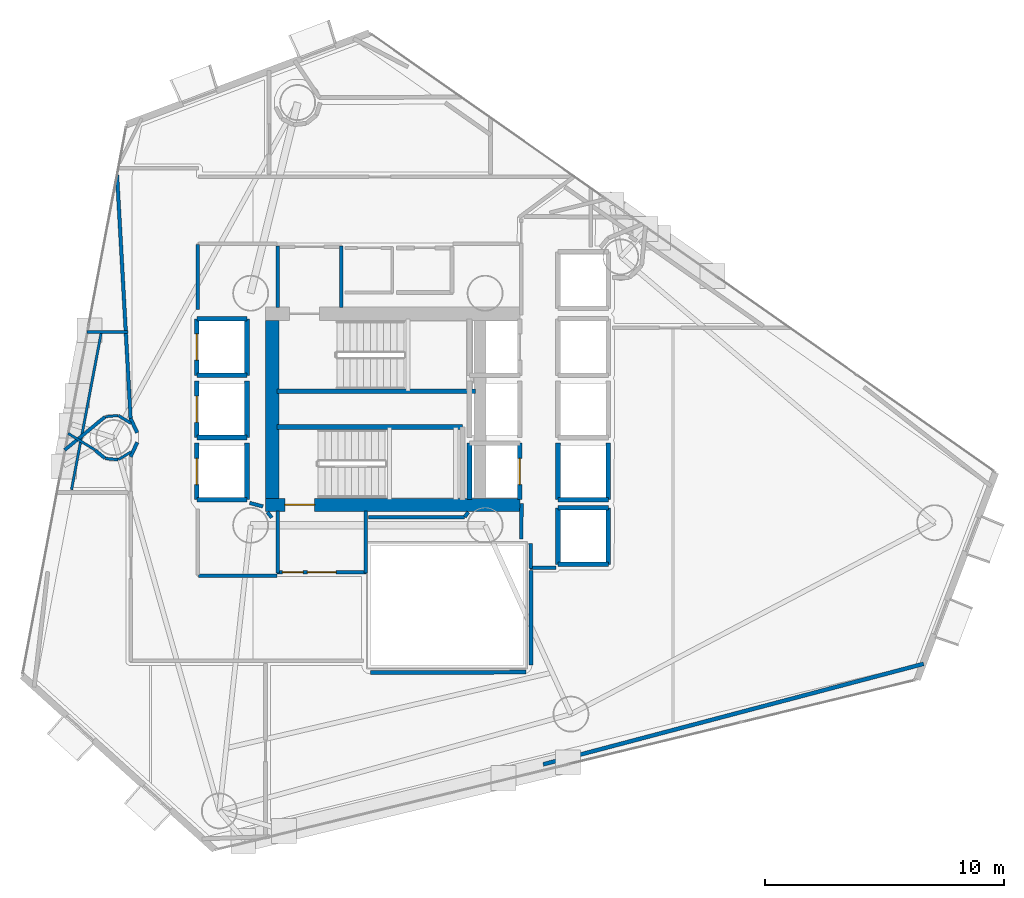
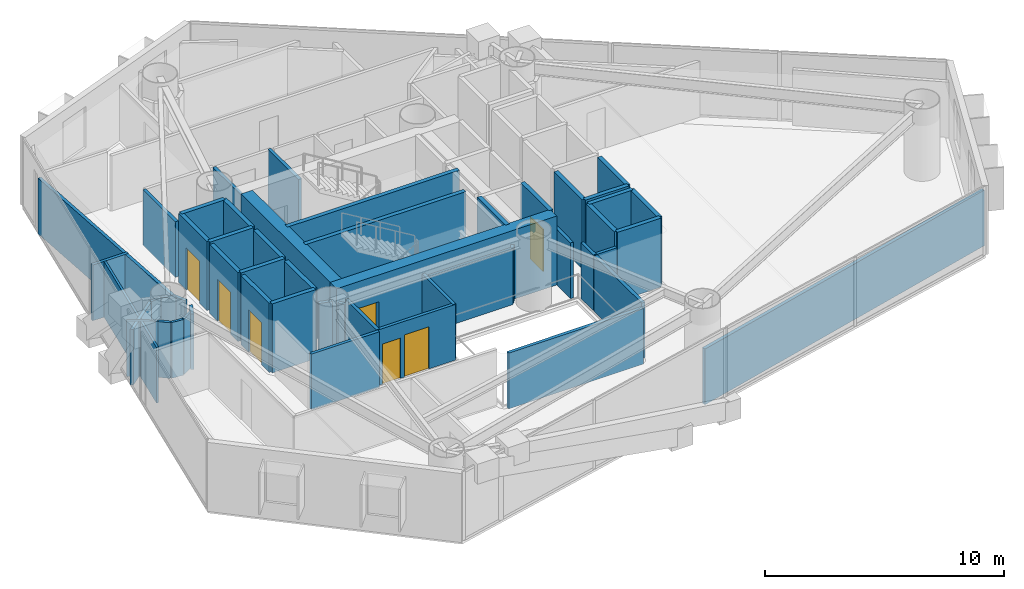
# One storey, part 19 of 24: 52 walls, 7 doors, 7 openings.
"""IFC4 building model written with IfcOpenShell, lengths in metres."""

from ifc_helpers import new_model, si_unit, direction, frame, frame_2d, origin, place, context, subcontext, project, spatial, rectangle, extrude, material, layer, layer_set, type_object, element, fill, save


model = new_model("IFC4")

# Units and contexts
model_context = context("Model", 3, precision=1e-05, world=origin(), true_north=direction((0.0, 1.0)))
body_context = subcontext(model_context, "Body", "Model", "MODEL_VIEW")
ifc_project = project(units=[si_unit("LENGTHUNIT", "METRE"), si_unit("AREAUNIT", "SQUARE_METRE"), si_unit("VOLUMEUNIT", "CUBIC_METRE"), si_unit("PLANEANGLEUNIT", "RADIAN"), si_unit("MASSUNIT", "GRAM", prefix="KILO")], contexts=[model_context])

# Site, building, storey
site_placement = place(None, origin())
site = spatial("IfcSite", under=ifc_project, at=site_placement, CompositionType="ELEMENT")
building_placement = place(site_placement, origin())
building = spatial("IfcBuilding", under=site, at=building_placement, Name="Qianvela Tower", CompositionType="ELEMENT")
storey_placement = place(building_placement, frame((0.0, 0.0, 101.5)))
storey = spatial("IfcBuildingStorey", under=building, at=storey_placement, Name="L25", CompositionType="ELEMENT", Elevation=101.5)

# Wall, opening, door
ifc_material_1 = material(Name="Concrete C60", Category="concrete")
ifc_layer_1 = layer(ifc_material_1, 0.550048828125)
ifc_layer_set_1 = layer_set([ifc_layer_1], Name="Concrete C60")
wall_type_1 = type_object("IfcWallType", Name="WT-CORE-550", PredefinedType="SHEAR", material=ifc_layer_set_1)
wall_1_placement = place(storey_placement, frame((29.22998046875, 24.705078125, 0.0), z_axis=(0.0, 0.0, 1.0), x_axis=(1.0, 0.0, 0.0)))
wall_1 = element("IfcWall", 1, at=wall_1_placement, inside=storey, type_object=wall_type_1, Name="L25 South Core Shear Wall", PredefinedType="SHEAR", context=body_context, shape_type="SweptSolid", body=[
    extrude(rectangle(XDim=10.6201171875, YDim=0.550048828125, at=frame_2d((5.31005859375, 0.0))), origin(), (0.0, 0.0, 1.0), 3.52001953125),
])
opening_1_placement = place(wall_1_placement, frame((0.794921875, 0.0, 0.0)))
opening_1 = element("IfcOpeningElement", 2, at=opening_1_placement, cuts=wall_1, Name="Opening D-ST1", PredefinedType="OPENING", context=body_context, shape_type="SweptSolid", body=[
    extrude(rectangle(XDim=1.25, YDim=2.14990234375, at=frame_2d((0.625, 1.074951171875))), frame((0.0, 0.284912109375, 0.0), z_axis=(0.0, -1.0, 0.0), x_axis=(1.0, 0.0, 0.0)), (0.0, 0.0, 1.0), 0.570068359375),
])
ifc_material_2 = material(Name="Galvanised Fire Steel Q355B", Category="steel")
door_type_1 = type_object("IfcDoorType", Name="DT-STAIR-FD90", OperationType="NOTDEFINED", PredefinedType="DOOR", material=ifc_material_2)
door_1_placement = place(opening_1_placement, origin())
door_1 = element("IfcDoor", 3, at=door_1_placement, inside=storey, type_object=door_type_1, Name="L25 Stair ST-2 Exit Door", OperationType="SINGLE_SWING_LEFT", OverallHeight=2.14990234375, OverallWidth=1.25, PredefinedType="DOOR", context=body_context, shape_type="SweptSolid", body=[
    extrude(rectangle(XDim=1.25, YDim=2.14990234375, at=frame_2d((0.625, 1.074951171875))), frame((0.0, 0.02490234375, 0.0), z_axis=(0.0, -1.0, 0.0), x_axis=(1.0, 0.0, 0.0)), (0.0, 0.0, 1.0), 0.050048828125),
])
fill(opening_1, door_1)

# Walls
wall_2_placement = place(storey_placement, frame((29.5048828125, 24.97998046875, 0.0), z_axis=(0.0, 0.0, 1.0), x_axis=(0.0, 1.0, 0.0)))
element("IfcWall", 4, at=wall_2_placement, inside=storey, type_object=wall_type_1, Name="L25 West Core Shear Wall", PredefinedType="SHEAR", context=body_context, shape_type="SweptSolid", body=[
    extrude(rectangle(XDim=7.43994140625, YDim=0.550048828125, at=frame_2d((3.719970703125, 0.0))), origin(), (0.0, 0.0, 1.0), 3.52001953125),
])
ifc_material_3 = material(Name="Fire-Rated Acoustic Gypsum Board")
ifc_layer_2 = layer(ifc_material_3, 0.14990234375)
ifc_layer_set_2 = layer_set([ifc_layer_2], Name="Fire-Rated Acoustic Gypsum Board")
wall_type_2 = type_object("IfcWallType", Name="WT-CORR-150", PredefinedType="PARTITIONING", material=ifc_layer_set_2)
for number, where, z_axis, x_axis, name in (
    (5, (29.73095703125, 32.9580078125, 0.0), (0.0, 0.0, 1.0), (0.0, 1.0, 0.0), "L25 Partition 2"),
    (6, (32.388916015625, 35.52001953125, 0.0), (0.0, 0.0, 1.0), (0.0, -1.0, 0.0), "L25 Partition 4"),
):
    element("IfcWall", number, at=place(storey_placement, frame(where, z_axis=z_axis, x_axis=x_axis)), inside=storey, type_object=wall_type_2, Name=name, PredefinedType="PARTITIONING", context=body_context, shape_type="SweptSolid", body=[
        extrude(rectangle(XDim=2.56201171875, YDim=0.14990234375, at=frame_2d((1.281005859375, 0.0))), origin(), (0.0, 0.0, 1.0), 2.840087890625),
    ])

# Wall, openings, doors
wall_3_placement = place(storey_placement, frame((33.449951171875, 21.881103515625, 0.0), z_axis=(0.0, 0.0, 1.0), x_axis=(-1.0, 0.0, 0.0)))
wall_3 = element("IfcWall", 7, at=wall_3_placement, inside=storey, type_object=wall_type_2, Name="L25 Partition 5", PredefinedType="PARTITIONING", context=body_context, shape_type="SweptSolid", body=[
    extrude(rectangle(XDim=3.75, YDim=0.14990234375, at=frame_2d((1.875, 0.0))), origin(), (0.0, 0.0, 1.0), 2.840087890625),
])
opening_2_placement = place(wall_3_placement, frame((1.27490234375, 0.0, 0.0)))
opening_2 = element("IfcOpeningElement", 8, at=opening_2_placement, cuts=wall_3, Name="Opening D-LB1", PredefinedType="OPENING", context=body_context, shape_type="SweptSolid", body=[
    extrude(rectangle(XDim=1.199951171875, YDim=2.14990234375, at=frame_2d((0.60009765625, 1.074951171875))), frame((0.0, 0.0849609375, 0.0), z_axis=(0.0, -1.0, 0.0), x_axis=(1.0, 0.0, 0.0)), (0.0, 0.0, 1.0), 0.169921875),
])
opening_3_placement = place(wall_3_placement, frame((2.659912109375, 0.0, 0.0)))
opening_3 = element("IfcOpeningElement", 9, at=opening_3_placement, cuts=wall_3, Name="Opening D-LB2", PredefinedType="OPENING", context=body_context, shape_type="SweptSolid", body=[
    extrude(rectangle(XDim=0.860107421875, YDim=2.050048828125, at=frame_2d((0.43017578125, 1.02490234375))), frame((0.0, 0.0849609375, 0.0), z_axis=(0.0, -1.0, 0.0), x_axis=(1.0, 0.0, 0.0)), (0.0, 0.0, 1.0), 0.169921875),
])
ifc_material_4 = material(Name="Glazed Fire-Rated Steel Frame", Category="steel")
door_type_2 = type_object("IfcDoorType", Name="DT-LOBBY-FD90", OperationType="NOTDEFINED", PredefinedType="DOOR", material=ifc_material_4)
door_2_placement = place(opening_2_placement, origin())
door_2 = element("IfcDoor", 10, at=door_2_placement, inside=storey, type_object=door_type_2, Name="L25 Door L25 Firefighting Lobby South to L25 Floor Corridor", OperationType="SINGLE_SWING_RIGHT", OverallHeight=2.14990234375, OverallWidth=1.199951171875, PredefinedType="DOOR", context=body_context, shape_type="SweptSolid", body=[
    extrude(rectangle(XDim=1.199951171875, YDim=2.14990234375, at=frame_2d((0.60009765625, 1.074951171875))), frame((0.0, 0.02490234375, 0.0), z_axis=(0.0, -1.0, 0.0), x_axis=(1.0, 0.0, 0.0)), (0.0, 0.0, 1.0), 0.050048828125),
])
fill(opening_2, door_2)
ifc_material_5 = material(Name="Insulated Steel Fire Door Q355B", Category="steel")
door_type_3 = type_object("IfcDoorType", Name="DT-LOBBY-FD90-860", OperationType="NOTDEFINED", PredefinedType="DOOR", material=ifc_material_5)
door_3_placement = place(opening_3_placement, origin())
door_3 = element("IfcDoor", 11, at=door_3_placement, inside=storey, type_object=door_type_3, Name="L25 Door L25 Firefighting Lobby South to L25 Floor Corridor", OperationType="SINGLE_SWING_LEFT", OverallHeight=2.050048828125, OverallWidth=0.860107421875, PredefinedType="DOOR", context=body_context, shape_type="SweptSolid", body=[
    extrude(rectangle(XDim=0.860107421875, YDim=2.050048828125, at=frame_2d((0.43017578125, 1.02490234375))), frame((0.0, 0.02490234375, 0.0), z_axis=(0.0, -1.0, 0.0), x_axis=(1.0, 0.0, 0.0)), (0.0, 0.0, 1.0), 0.050048828125),
])
fill(opening_3, door_3)

# Walls
for number, where, z_axis, x_axis, name in (
    (12, (29.73095703125, 21.85009765625, 0.0), (0.0, 0.0, 1.0), (0.0, 1.0, 0.0), "L25 Partition 6"),
    (13, (33.4189453125, 24.44189453125, 0.0), (0.0, 0.0, 1.0), (0.0, -1.0, 0.0), "L25 Partition 8"),
):
    element("IfcWall", number, at=place(storey_placement, frame(where, z_axis=z_axis, x_axis=x_axis)), inside=storey, type_object=wall_type_2, Name=name, PredefinedType="PARTITIONING", context=body_context, shape_type="SweptSolid", body=[
        extrude(rectangle(XDim=2.591796875, YDim=0.14990234375, at=frame_2d((1.2958984375, 0.0))), origin(), (0.0, 0.0, 1.0), 2.840087890625),
    ])
wall_4_placement = place(storey_placement, frame((41.360107421875, 22.0810546875, 0.0), z_axis=(0.0, 0.0, 1.0), x_axis=(-1.0, 0.0, 0.0)))
element("IfcWall", 14, at=wall_4_placement, inside=storey, type_object=wall_type_2, Name="L25 Partition 15", PredefinedType="PARTITIONING", context=body_context, shape_type="SweptSolid", body=[
    extrude(rectangle(XDim=1.080078125, YDim=0.14990234375, at=frame_2d((0.5400390625, 0.0))), origin(), (0.0, 0.0, 1.0), 2.840087890625),
])
wall_5_placement = place(storey_placement, frame((40.31103515625, 22.05029296875, 0.0), z_axis=(0.0, 0.0, 1.0), x_axis=(-0.011836292006, 0.999929948642, 0.0)))
element("IfcWall", 15, at=wall_5_placement, inside=storey, type_object=wall_type_2, Name="L25 Partition 16", PredefinedType="PARTITIONING", context=body_context, shape_type="SweptSolid", body=[
    extrude(rectangle(XDim=1.03125, YDim=0.14990234375, at=frame_2d((0.515625, 0.0))), origin(), (0.0, 0.0, 1.0), 2.840087890625),
])
wall_6_placement = place(storey_placement, frame((39.910888671875, 23.27978515625, 0.0), z_axis=(0.0, 0.0, 1.0), x_axis=(0.009397771291, 0.999955839972, 0.0)))
element("IfcWall", 16, at=wall_6_placement, inside=storey, type_object=wall_type_2, Name="L25 Partition 17", PredefinedType="PARTITIONING", context=body_context, shape_type="SweptSolid", body=[
    extrude(rectangle(XDim=1.480712890625, YDim=0.14990234375, at=frame_2d((0.740234375, 0.0))), origin(), (0.0, 0.0, 1.0), 2.840087890625),
])
wall_7_placement = place(storey_placement, frame((29.47998046875, 24.1689453125, 0.0), z_axis=(0.0, 0.0, 1.0), x_axis=(-0.608043045279, 0.79390405912, 0.0)))
element("IfcWall", 17, at=wall_7_placement, inside=storey, type_object=wall_type_2, Name="L25 Partition 30", PredefinedType="PARTITIONING", context=body_context, shape_type="SweptSolid", body=[
    extrude(rectangle(XDim=0.290283203125, YDim=0.14990234375, at=frame_2d((0.14501953125, 0.0))), origin(), (0.0, 0.0, 1.0), 2.840087890625),
])
wall_8_placement = place(storey_placement, frame((29.113525390625, 24.63671875, 0.0), z_axis=(0.0, 0.0, 1.0), x_axis=(-0.966199685486, 0.257794817183, 0.0)))
element("IfcWall", 18, at=wall_8_placement, inside=storey, type_object=wall_type_2, Name="L25 Partition 31", PredefinedType="PARTITIONING", context=body_context, shape_type="SweptSolid", body=[
    extrude(rectangle(XDim=0.574951171875, YDim=0.14990234375, at=frame_2d((0.28759765625, 0.0))), origin(), (0.0, 0.0, 1.0), 2.840087890625),
])
wall_9_placement = place(storey_placement, frame((37.696533203125, 24.3994140625, 0.0), z_axis=(0.0, 0.0, 1.0), x_axis=(-0.60763139403, -0.794219169367, 0.0)))
element("IfcWall", 19, at=wall_9_placement, inside=storey, type_object=wall_type_2, Name="L25 Partition 38", PredefinedType="PARTITIONING", context=body_context, shape_type="SweptSolid", body=[
    extrude(rectangle(XDim=0.25, YDim=0.14990234375, at=frame_2d((0.125, 0.0))), origin(), (0.0, 0.0, 1.0), 2.840087890625),
])
wall_10_placement = place(storey_placement, frame((37.544677734375, 24.180908203125, 0.0), z_axis=(0.0, 0.0, 1.0), x_axis=(-1.0, 0.0, 0.0)))
element("IfcWall", 20, at=wall_10_placement, inside=storey, type_object=wall_type_2, Name="L25 Partition 39", PredefinedType="PARTITIONING", context=body_context, shape_type="SweptSolid", body=[
    extrude(rectangle(XDim=4.0146484375, YDim=0.14990234375, at=frame_2d((2.00732421875, 0.0))), origin(), (0.0, 0.0, 1.0), 2.840087890625),
])
wall_11_placement = place(storey_placement, frame((26.388916015625, 35.580078125, 0.0), z_axis=(0.0, 0.0, 1.0), x_axis=(0.0, -1.0, 0.0)))
element("IfcWall", 21, at=wall_11_placement, inside=storey, type_object=wall_type_2, Name="L25 Partition 44", PredefinedType="PARTITIONING", context=body_context, shape_type="SweptSolid", body=[
    extrude(rectangle(XDim=2.71044921875, YDim=0.14990234375, at=frame_2d((1.355224609375, 0.0))), origin(), (0.0, 0.0, 1.0), 2.840087890625),
])
wall_12_placement = place(storey_placement, frame((26.419921875, 21.7490234375, 0.0), z_axis=(0.0, 0.0, 1.0), x_axis=(1.0, 0.0, 0.0)))
element("IfcWall", 22, at=wall_12_placement, inside=storey, type_object=wall_type_2, Name="L25 Partition 47 seg 1", PredefinedType="PARTITIONING", context=body_context, shape_type="SweptSolid", body=[
    extrude(rectangle(XDim=3.280029296875, YDim=0.14990234375, at=frame_2d((1.64013671875, 0.0))), origin(), (0.0, 0.0, 1.0), 2.840087890625),
])
for number, where, z_axis, x_axis, name in (
    (23, (23.578125, 26.71240234375, 0.0), (0.0, 0.0, 1.0), (0.421251946418, 0.906943657367, 0.0), "L25 Partition 50"),
    (24, (23.857421875, 27.71826171875, 0.0), (0.0, 0.0, 1.0), (-0.421251946418, 0.906943657367, 0.0), "L25 Partition 51"),
):
    element("IfcWall", number, at=place(storey_placement, frame(where, z_axis=z_axis, x_axis=x_axis)), inside=storey, type_object=wall_type_2, Name=name, PredefinedType="PARTITIONING", context=body_context, shape_type="SweptSolid", body=[
        extrude(rectangle(XDim=0.6630859375, YDim=0.14990234375, at=frame_2d((0.33154296875, 0.0))), origin(), (0.0, 0.0, 1.0), 2.840087890625),
    ])
wall_13_placement = place(storey_placement, frame((23.5810546875, 28.306640625, 0.0), z_axis=(0.0, 0.0, 1.0), x_axis=(-0.055409067337, 0.998463737577, 0.0)))
element("IfcWall", 25, at=wall_13_placement, inside=storey, type_object=wall_type_2, Name="L25 Partition 52", PredefinedType="PARTITIONING", context=body_context, shape_type="SweptSolid", body=[
    extrude(rectangle(XDim=10.20458984375, YDim=0.14990234375, at=frame_2d((5.102294921875, 0.0))), origin(), (0.0, 0.0, 1.0), 2.840087890625),
])
ifc_material_6 = material(Name="Lightweight Gypsum Room Partition")
ifc_layer_3 = layer(ifc_material_6, 0.10498046875)
ifc_layer_set_3 = layer_set([ifc_layer_3], Name="Lightweight Gypsum Room Partition")
wall_type_3 = type_object("IfcWallType", Name="WT-PART-105", PredefinedType="PARTITIONING", material=ifc_layer_set_3)
wall_14_placement = place(storey_placement, frame((23.052490234375, 28.439453125, 0.0), z_axis=(0.0, 0.0, 1.0), x_axis=(-0.995191506225, -0.09794828195, 0.0)))
element("IfcWall", 26, at=wall_14_placement, inside=storey, type_object=wall_type_3, Name="L25 Partition 114", PredefinedType="PARTITIONING", context=body_context, shape_type="SweptSolid", body=[
    extrude(rectangle(XDim=0.5283203125, YDim=0.10498046875, at=frame_2d((0.26416015625, 0.0))), origin(), (0.0, 0.0, 1.0), 2.840087890625),
])
wall_15_placement = place(storey_placement, frame((20.969970703125, 27.690185546875, 0.0), z_axis=(0.0, 0.0, 1.0), x_axis=(0.852211848036, -0.523196871232, 0.0)))
element("IfcWall", 27, at=wall_15_placement, inside=storey, type_object=wall_type_3, Name="L25 Partition 117", PredefinedType="PARTITIONING", context=body_context, shape_type="SweptSolid", body=[
    extrude(rectangle(XDim=1.31640625, YDim=0.10498046875, at=frame_2d((0.658203125, 0.0))), origin(), (0.0, 0.0, 1.0), 2.840087890625),
])
wall_16_placement = place(storey_placement, frame((23.07177734375, 26.596923828125, 0.0), z_axis=(0.0, 0.0, 1.0), x_axis=(0.853675286084, 0.520805631622, 0.0)))
element("IfcWall", 28, at=wall_16_placement, inside=storey, type_object=wall_type_3, Name="L25 Partition 120", PredefinedType="PARTITIONING", context=body_context, shape_type="SweptSolid", body=[
    extrude(rectangle(XDim=0.613037109375, YDim=0.10498046875, at=frame_2d((0.306640625, 0.0))), origin(), (0.0, 0.0, 1.0), 2.840087890625),
])
wall_17_placement = place(storey_placement, frame((21.110595703125, 25.336181640625, 0.0), z_axis=(0.0, 0.0, 1.0), x_axis=(0.186002357958, 0.982549297915, 0.0)))
element("IfcWall", 29, at=wall_17_placement, inside=storey, type_object=wall_type_3, Name="L25 Partition 123", PredefinedType="PARTITIONING", context=body_context, shape_type="SweptSolid", body=[
    extrude(rectangle(XDim=6.7333984375, YDim=0.10498046875, at=frame_2d((3.36669921875, 0.0))), origin(), (0.0, 0.0, 1.0), 2.840087890625),
])
ifc_material_7 = material(Name="Insulated Gypsum Stud Partition")
ifc_layer_4 = layer(ifc_material_7, 0.1201171875)
ifc_layer_set_4 = layer_set([ifc_layer_4], Name="Insulated Gypsum Stud Partition")
wall_type_4 = type_object("IfcWallType", Name="WT-PART-120", PredefinedType="PARTITIONING", material=ifc_layer_set_4)
wall_18_placement = place(storey_placement, frame((23.59521484375, 28.11572265625, 0.0), z_axis=(0.0, 0.0, 1.0), x_axis=(-0.853675286084, 0.520805631622, 0.0)))
element("IfcWall", 30, at=wall_18_placement, inside=storey, type_object=wall_type_4, Name="L25 Partition 113", PredefinedType="PARTITIONING", context=body_context, shape_type="SweptSolid", body=[
    extrude(rectangle(XDim=0.613037109375, YDim=0.1201171875, at=frame_2d((0.306640625, 0.0))), origin(), (0.0, 0.0, 1.0), 2.840087890625),
])
wall_19_placement = place(storey_placement, frame((22.526611328125, 26.644287109375, 0.0), z_axis=(0.0, 0.0, 1.0), x_axis=(0.995191506225, -0.09794828195, 0.0)))
element("IfcWall", 31, at=wall_19_placement, inside=storey, type_object=wall_type_4, Name="L25 Partition 119", PredefinedType="PARTITIONING", context=body_context, shape_type="SweptSolid", body=[
    extrude(rectangle(XDim=0.5283203125, YDim=0.1201171875, at=frame_2d((0.26416015625, 0.0))), origin(), (0.0, 0.0, 1.0), 2.840087890625),
])
ifc_material_8 = material(Name="Sanitary Service Chase Partition")
ifc_layer_5 = layer(ifc_material_8, 0.1650390625)
ifc_layer_set_5 = layer_set([ifc_layer_5], Name="Sanitary Service Chase Partition")
wall_type_5 = type_object("IfcWallType", Name="WT-PLUMB-165", PredefinedType="PLUMBINGWALL", material=ifc_layer_set_5)
wall_20_placement = place(storey_placement, frame((33.60009765625, 17.68896484375, 0.0), z_axis=(0.0, 0.0, 1.0), x_axis=(0.99999467303, 0.003264033036, 0.0)))
element("IfcWall", 32, at=wall_20_placement, inside=storey, type_object=wall_type_5, Name="L25 Partition 61", PredefinedType="PLUMBINGWALL", context=body_context, shape_type="SweptSolid", body=[
    extrude(rectangle(XDim=6.50732421875, YDim=0.1650390625, at=frame_2d((3.253662109375, 0.0))), origin(), (0.0, 0.0, 1.0), 2.840087890625),
])
wall_21_placement = place(storey_placement, frame((40.31103515625, 18.0, 0.0), z_axis=(0.0, 0.0, 1.0), x_axis=(0.0, 1.0, 0.0)))
element("IfcWall", 33, at=wall_21_placement, inside=storey, type_object=wall_type_5, Name="L25 Partition 62 seg 1", PredefinedType="PLUMBINGWALL", context=body_context, shape_type="SweptSolid", body=[
    extrude(rectangle(XDim=3.969970703125, YDim=0.1650390625, at=frame_2d((1.98486328125, 0.0))), origin(), (0.0, 0.0, 1.0), 2.840087890625),
])
wall_22_placement = place(storey_placement, frame((56.728515625, 18.057861328125, 0.0), z_axis=(0.0, 0.0, 1.0), x_axis=(-0.966807867792, -0.255504494627, 0.0)))
element("IfcWall", 34, at=wall_22_placement, inside=storey, type_object=wall_type_5, Name="L25 Partition 71 seg 1", PredefinedType="PLUMBINGWALL", context=body_context, shape_type="SweptSolid", body=[
    extrude(rectangle(XDim=16.445556640625, YDim=0.1650390625, at=frame_2d((8.22265625, 0.0))), origin(), (0.0, 0.0, 1.0), 2.840087890625),
])
ifc_material_9 = material(Name="Acoustic Double Gypsum Stud Partition")
ifc_layer_6 = layer(ifc_material_9, 0.139892578125)
ifc_layer_set_6 = layer_set([ifc_layer_6], Name="Acoustic Double Gypsum Stud Partition")
wall_type_6 = type_object("IfcWallType", Name="WT-ROOM-140", PredefinedType="PARTITIONING", material=ifc_layer_set_6)
wall_23_placement = place(storey_placement, frame((22.510009765625, 28.380615234375, 0.0), z_axis=(0.0, 0.0, 1.0), x_axis=(-0.772957823968, -0.634457407843, 0.0)))
element("IfcWall", 35, at=wall_23_placement, inside=storey, type_object=wall_type_6, Name="L25 Partition 115", PredefinedType="PARTITIONING", context=body_context, shape_type="SweptSolid", body=[
    extrude(rectangle(XDim=2.1787109375, YDim=0.139892578125, at=frame_2d((1.08935546875, 0.0))), origin(), (0.0, 0.0, 1.0), 2.840087890625),
])
wall_24_placement = place(storey_placement, frame((22.101806640625, 26.986572265625, 0.0), z_axis=(0.0, 0.0, 1.0), x_axis=(0.772823405661, -0.634621133955, 0.0)))
element("IfcWall", 36, at=wall_24_placement, inside=storey, type_object=wall_type_6, Name="L25 Partition 118 seg 1", PredefinedType="PARTITIONING", context=body_context, shape_type="SweptSolid", body=[
    extrude(rectangle(XDim=0.528076171875, YDim=0.139892578125, at=frame_2d((0.26416015625, 0.0))), origin(), (0.0, 0.0, 1.0), 2.840087890625),
])
wall_25_placement = place(storey_placement, frame((21.751953125, 31.927001953125, 0.0), z_axis=(0.0, 0.0, 1.0), x_axis=(1.0, 0.0, 0.0)))
element("IfcWall", 37, at=wall_25_placement, inside=storey, type_object=wall_type_6, Name="L25 Partition 124", PredefinedType="PARTITIONING", context=body_context, shape_type="SweptSolid", body=[
    extrude(rectangle(XDim=1.718017578125, YDim=0.139892578125, at=frame_2d((0.85888671875, 0.0))), origin(), (0.0, 0.0, 1.0), 2.840087890625),
])
ifc_material_10 = material(Name="Concrete C50", Category="concrete")
ifc_layer_7 = layer(ifc_material_10, 0.199951171875)
ifc_layer_set_7 = layer_set([ifc_layer_7], Name="Concrete C50")
wall_type_7 = type_object("IfcWallType", Name="WT-SHAFT-200", PredefinedType="SOLIDWALL", material=ifc_layer_set_7)
wall_26_placement = place(storey_placement, frame((29.699951171875, 29.449951171875, 0.0), z_axis=(0.0, 0.0, 1.0), x_axis=(1.0, 0.0, 0.0)))
element("IfcWall", 38, at=wall_26_placement, inside=storey, type_object=wall_type_7, Name="L25 Stair ST-1 South Wall", PredefinedType="SOLIDWALL", context=body_context, shape_type="SweptSolid", body=[
    extrude(rectangle(XDim=8.300048828125, YDim=0.199951171875, at=frame_2d((4.14990234375, 0.0))), origin(), (0.0, 0.0, 1.0), 3.52001953125),
])
wall_27_placement = place(storey_placement, frame((29.699951171875, 27.9599609375, 0.0), z_axis=(0.0, 0.0, 1.0), x_axis=(1.0, 0.0, 0.0)))
element("IfcWall", 39, at=wall_27_placement, inside=storey, type_object=wall_type_7, Name="L25 Stair ST-2 North Wall", PredefinedType="SOLIDWALL", context=body_context, shape_type="SweptSolid", body=[
    extrude(rectangle(XDim=7.75, YDim=0.199951171875, at=frame_2d((3.875, 0.0))), origin(), (0.0, 0.0, 1.0), 3.52001953125),
])

# Wall, opening, door
wall_28_placement = place(storey_placement, frame((39.85009765625, 24.919921875, 0.0), z_axis=(0.0, 0.0, 1.0), x_axis=(0.0, 1.0, 0.0)))
wall_28 = element("IfcWall", 40, at=wall_28_placement, inside=storey, type_object=wall_type_7, Name="L25 Lift FL-2 E Shaft Wall", PredefinedType="SOLIDWALL", context=body_context, shape_type="SweptSolid", body=[
    extrude(rectangle(XDim=2.360107421875, YDim=0.199951171875, at=frame_2d((1.18017578125, 0.0))), origin(), (0.0, 0.0, 1.0), 3.52001953125),
])
opening_4_placement = place(wall_28_placement, frame((0.6298828125, 0.0, 0.0)))
opening_4 = element("IfcOpeningElement", 41, at=opening_4_placement, cuts=wall_28, Name="Opening LD-01", PredefinedType="OPENING", context=body_context, shape_type="SweptSolid", body=[
    extrude(rectangle(XDim=1.10009765625, YDim=2.14990234375, at=frame_2d((0.550048828125, 1.074951171875))), frame((0.0, 0.10986328125, 0.0), z_axis=(0.0, -1.0, 0.0), x_axis=(1.0, 0.0, 0.0)), (0.0, 0.0, 1.0), 0.219970703125),
])
ifc_material_11 = material(Name="Brushed Stainless Steel Lift Landing Door", Category="steel")
door_type_4 = type_object("IfcDoorType", Name="DT-LIFT-SLIDE-1100", OperationType="SLIDING_TO_LEFT", PredefinedType="DOOR", material=ifc_material_11)
door_4_placement = place(opening_4_placement, origin())
door_4 = element("IfcDoor", 42, at=door_4_placement, inside=storey, type_object=door_type_4, Name="L25 Lift FL-2 Sliding Landing Door", OperationType="SLIDING_TO_LEFT", OverallHeight=2.14990234375, OverallWidth=1.10009765625, PredefinedType="DOOR", context=body_context, shape_type="SweptSolid", body=[
    extrude(rectangle(XDim=1.10009765625, YDim=2.14990234375, at=frame_2d((0.550048828125, 1.074951171875))), frame((0.0, 0.02490234375, 0.0), z_axis=(0.0, -1.0, 0.0), x_axis=(1.0, 0.0, 0.0)), (0.0, 0.0, 1.0), 0.050048828125),
])
fill(opening_4, door_4)

# Walls
wall_29_placement = place(storey_placement, frame((37.75, 24.919921875, 0.0), z_axis=(0.0, 0.0, 1.0), x_axis=(0.0, 1.0, 0.0)))
element("IfcWall", 43, at=wall_29_placement, inside=storey, type_object=wall_type_7, Name="L25 Lift FL-2 W Shaft Wall", PredefinedType="SOLIDWALL", context=body_context, shape_type="SweptSolid", body=[
    extrude(rectangle(XDim=2.360107421875, YDim=0.199951171875, at=frame_2d((1.18017578125, 0.0))), origin(), (0.0, 0.0, 1.0), 3.52001953125),
])
wall_30_placement = place(storey_placement, frame((28.449951171875, 30.1201171875, 0.0), z_axis=(0.0, 0.0, 1.0), x_axis=(0.0, 1.0, 0.0)))
element("IfcWall", 44, at=wall_30_placement, inside=storey, type_object=wall_type_7, Name="L25 Lift PL-L1 E Shaft Wall", PredefinedType="SOLIDWALL", context=body_context, shape_type="SweptSolid", body=[
    extrude(rectangle(XDim=2.35986328125, YDim=0.199951171875, at=frame_2d((1.179931640625, 0.0))), origin(), (0.0, 0.0, 1.0), 3.52001953125),
])

# Wall, opening, door
wall_31_placement = place(storey_placement, frame((26.35009765625, 30.1201171875, 0.0), z_axis=(0.0, 0.0, 1.0), x_axis=(0.0, 1.0, 0.0)))
wall_31 = element("IfcWall", 45, at=wall_31_placement, inside=storey, type_object=wall_type_7, Name="L25 Lift PL-L1 W Shaft Wall", PredefinedType="SOLIDWALL", context=body_context, shape_type="SweptSolid", body=[
    extrude(rectangle(XDim=2.35986328125, YDim=0.199951171875, at=frame_2d((1.179931640625, 0.0))), origin(), (0.0, 0.0, 1.0), 3.52001953125),
])
opening_5_placement = place(wall_31_placement, frame((0.6298828125, 0.0, 0.0)))
opening_5 = element("IfcOpeningElement", 46, at=opening_5_placement, cuts=wall_31, Name="Opening LD-01", PredefinedType="OPENING", context=body_context, shape_type="SweptSolid", body=[
    extrude(rectangle(XDim=1.10009765625, YDim=2.14990234375, at=frame_2d((0.550048828125, 1.074951171875))), frame((0.0, 0.10986328125, 0.0), z_axis=(0.0, -1.0, 0.0), x_axis=(1.0, 0.0, 0.0)), (0.0, 0.0, 1.0), 0.219970703125),
])
door_5_placement = place(opening_5_placement, origin())
door_5 = element("IfcDoor", 47, at=door_5_placement, inside=storey, type_object=door_type_4, Name="L25 Lift PL-L1 Sliding Landing Door", OperationType="SLIDING_TO_LEFT", OverallHeight=2.14990234375, OverallWidth=1.10009765625, PredefinedType="DOOR", context=body_context, shape_type="SweptSolid", body=[
    extrude(rectangle(XDim=1.10009765625, YDim=2.14990234375, at=frame_2d((0.550048828125, 1.074951171875))), frame((0.0, 0.02490234375, 0.0), z_axis=(0.0, -1.0, 0.0), x_axis=(1.0, 0.0, 0.0)), (0.0, 0.0, 1.0), 0.050048828125),
])
fill(opening_5, door_5)

# Walls
for number, where, z_axis, x_axis, name in (
    (48, (26.35009765625, 32.47998046875, 0.0), (0.0, 0.0, 1.0), (1.0, 0.0, 0.0), "L25 Lift PL-L1 N Shaft Wall"),
    (49, (26.35009765625, 30.1201171875, 0.0), (0.0, 0.0, 1.0), (1.0, 0.0, 0.0), "L25 Lift PL-L1 S Shaft Wall"),
):
    element("IfcWall", number, at=place(storey_placement, frame(where, z_axis=z_axis, x_axis=x_axis)), inside=storey, type_object=wall_type_7, Name=name, PredefinedType="SOLIDWALL", context=body_context, shape_type="SweptSolid", body=[
        extrude(rectangle(XDim=2.099853515625, YDim=0.199951171875, at=frame_2d((1.0498046875, 0.0))), origin(), (0.0, 0.0, 1.0), 3.52001953125),
    ])
wall_32_placement = place(storey_placement, frame((28.449951171875, 27.52001953125, 0.0), z_axis=(0.0, 0.0, 1.0), x_axis=(0.0, 1.0, 0.0)))
element("IfcWall", 50, at=wall_32_placement, inside=storey, type_object=wall_type_7, Name="L25 Lift PL-L2 E Shaft Wall", PredefinedType="SOLIDWALL", context=body_context, shape_type="SweptSolid", body=[
    extrude(rectangle(XDim=2.35986328125, YDim=0.199951171875, at=frame_2d((1.179931640625, 0.0))), origin(), (0.0, 0.0, 1.0), 3.52001953125),
])

# Wall, opening, door
wall_33_placement = place(storey_placement, frame((26.35009765625, 27.52001953125, 0.0), z_axis=(0.0, 0.0, 1.0), x_axis=(0.0, 1.0, 0.0)))
wall_33 = element("IfcWall", 51, at=wall_33_placement, inside=storey, type_object=wall_type_7, Name="L25 Lift PL-L2 W Shaft Wall", PredefinedType="SOLIDWALL", context=body_context, shape_type="SweptSolid", body=[
    extrude(rectangle(XDim=2.35986328125, YDim=0.199951171875, at=frame_2d((1.179931640625, 0.0))), origin(), (0.0, 0.0, 1.0), 3.52001953125),
])
opening_6_placement = place(wall_33_placement, frame((0.6298828125, 0.0, 0.0)))
opening_6 = element("IfcOpeningElement", 52, at=opening_6_placement, cuts=wall_33, Name="Opening LD-01", PredefinedType="OPENING", context=body_context, shape_type="SweptSolid", body=[
    extrude(rectangle(XDim=1.10009765625, YDim=2.14990234375, at=frame_2d((0.550048828125, 1.074951171875))), frame((0.0, 0.10986328125, 0.0), z_axis=(0.0, -1.0, 0.0), x_axis=(1.0, 0.0, 0.0)), (0.0, 0.0, 1.0), 0.219970703125),
])
door_6_placement = place(opening_6_placement, origin())
door_6 = element("IfcDoor", 53, at=door_6_placement, inside=storey, type_object=door_type_4, Name="L25 Lift PL-L2 Sliding Landing Door", OperationType="SLIDING_TO_LEFT", OverallHeight=2.14990234375, OverallWidth=1.10009765625, PredefinedType="DOOR", context=body_context, shape_type="SweptSolid", body=[
    extrude(rectangle(XDim=1.10009765625, YDim=2.14990234375, at=frame_2d((0.550048828125, 1.074951171875))), frame((0.0, 0.02490234375, 0.0), z_axis=(0.0, -1.0, 0.0), x_axis=(1.0, 0.0, 0.0)), (0.0, 0.0, 1.0), 0.050048828125),
])
fill(opening_6, door_6)

# Walls
wall_34_placement = place(storey_placement, frame((26.35009765625, 27.52001953125, 0.0), z_axis=(0.0, 0.0, 1.0), x_axis=(1.0, 0.0, 0.0)))
element("IfcWall", 54, at=wall_34_placement, inside=storey, type_object=wall_type_7, Name="L25 Lift PL-L2 S Shaft Wall", PredefinedType="SOLIDWALL", context=body_context, shape_type="SweptSolid", body=[
    extrude(rectangle(XDim=2.099853515625, YDim=0.199951171875, at=frame_2d((1.0498046875, 0.0))), origin(), (0.0, 0.0, 1.0), 3.52001953125),
])
wall_35_placement = place(storey_placement, frame((28.449951171875, 24.919921875, 0.0), z_axis=(0.0, 0.0, 1.0), x_axis=(0.0, 1.0, 0.0)))
element("IfcWall", 55, at=wall_35_placement, inside=storey, type_object=wall_type_7, Name="L25 Lift PL-L3 E Shaft Wall", PredefinedType="SOLIDWALL", context=body_context, shape_type="SweptSolid", body=[
    extrude(rectangle(XDim=2.360107421875, YDim=0.199951171875, at=frame_2d((1.18017578125, 0.0))), origin(), (0.0, 0.0, 1.0), 3.52001953125),
])

# Wall, opening, door
wall_36_placement = place(storey_placement, frame((26.35009765625, 24.919921875, 0.0), z_axis=(0.0, 0.0, 1.0), x_axis=(0.0, 1.0, 0.0)))
wall_36 = element("IfcWall", 56, at=wall_36_placement, inside=storey, type_object=wall_type_7, Name="L25 Lift PL-L3 W Shaft Wall", PredefinedType="SOLIDWALL", context=body_context, shape_type="SweptSolid", body=[
    extrude(rectangle(XDim=2.360107421875, YDim=0.199951171875, at=frame_2d((1.18017578125, 0.0))), origin(), (0.0, 0.0, 1.0), 3.52001953125),
])
opening_7_placement = place(wall_36_placement, frame((0.6298828125, 0.0, 0.0)))
opening_7 = element("IfcOpeningElement", 57, at=opening_7_placement, cuts=wall_36, Name="Opening LD-01", PredefinedType="OPENING", context=body_context, shape_type="SweptSolid", body=[
    extrude(rectangle(XDim=1.10009765625, YDim=2.14990234375, at=frame_2d((0.550048828125, 1.074951171875))), frame((0.0, 0.10986328125, 0.0), z_axis=(0.0, -1.0, 0.0), x_axis=(1.0, 0.0, 0.0)), (0.0, 0.0, 1.0), 0.219970703125),
])
door_7_placement = place(opening_7_placement, origin())
door_7 = element("IfcDoor", 58, at=door_7_placement, inside=storey, type_object=door_type_4, Name="L25 Lift PL-L3 Sliding Landing Door", OperationType="SLIDING_TO_LEFT", OverallHeight=2.14990234375, OverallWidth=1.10009765625, PredefinedType="DOOR", context=body_context, shape_type="SweptSolid", body=[
    extrude(rectangle(XDim=1.10009765625, YDim=2.14990234375, at=frame_2d((0.550048828125, 1.074951171875))), frame((0.0, 0.02490234375, 0.0), z_axis=(0.0, -1.0, 0.0), x_axis=(1.0, 0.0, 0.0)), (0.0, 0.0, 1.0), 0.050048828125),
])
fill(opening_7, door_7)

# Walls
wall_37_placement = place(storey_placement, frame((26.35009765625, 24.919921875, 0.0), z_axis=(0.0, 0.0, 1.0), x_axis=(1.0, 0.0, 0.0)))
element("IfcWall", 59, at=wall_37_placement, inside=storey, type_object=wall_type_7, Name="L25 Lift PL-L3 S Shaft Wall", PredefinedType="SOLIDWALL", context=body_context, shape_type="SweptSolid", body=[
    extrude(rectangle(XDim=2.099853515625, YDim=0.199951171875, at=frame_2d((1.0498046875, 0.0))), origin(), (0.0, 0.0, 1.0), 3.52001953125),
])
for number, where, z_axis, x_axis, name in (
    (60, (43.550048828125, 24.919921875, 0.0), (0.0, 0.0, 1.0), (0.0, 1.0, 0.0), "L25 Lift PL-M3 E Shaft Wall"),
    (61, (41.449951171875, 24.919921875, 0.0), (0.0, 0.0, 1.0), (0.0, 1.0, 0.0), "L25 Lift PL-M3 W Shaft Wall"),
):
    element("IfcWall", number, at=place(storey_placement, frame(where, z_axis=z_axis, x_axis=x_axis)), inside=storey, type_object=wall_type_7, Name=name, PredefinedType="SOLIDWALL", context=body_context, shape_type="SweptSolid", body=[
        extrude(rectangle(XDim=2.360107421875, YDim=0.199951171875, at=frame_2d((1.18017578125, 0.0))), origin(), (0.0, 0.0, 1.0), 3.52001953125),
    ])
wall_38_placement = place(storey_placement, frame((41.449951171875, 24.919921875, 0.0), z_axis=(0.0, 0.0, 1.0), x_axis=(1.0, 0.0, 0.0)))
element("IfcWall", 62, at=wall_38_placement, inside=storey, type_object=wall_type_7, Name="L25 Lift PL-M3 S Shaft Wall", PredefinedType="SOLIDWALL", context=body_context, shape_type="SweptSolid", body=[
    extrude(rectangle(XDim=2.10009765625, YDim=0.199951171875, at=frame_2d((1.050048828125, 0.0))), origin(), (0.0, 0.0, 1.0), 3.52001953125),
])
for number, where, z_axis, x_axis, name in (
    (63, (43.550048828125, 22.219970703125, 0.0), (0.0, 0.0, 1.0), (0.0, 1.0, 0.0), "L25 Lift PL-H2 E Shaft Wall"),
    (64, (41.449951171875, 22.219970703125, 0.0), (0.0, 0.0, 1.0), (0.0, 1.0, 0.0), "L25 Lift PL-H2 W Shaft Wall"),
):
    element("IfcWall", number, at=place(storey_placement, frame(where, z_axis=z_axis, x_axis=x_axis)), inside=storey, type_object=wall_type_7, Name=name, PredefinedType="SOLIDWALL", context=body_context, shape_type="SweptSolid", body=[
        extrude(rectangle(XDim=2.360107421875, YDim=0.199951171875, at=frame_2d((1.18017578125, 0.0))), origin(), (0.0, 0.0, 1.0), 3.52001953125),
    ])
for number, where, z_axis, x_axis, name in (
    (65, (41.449951171875, 24.580078125, 0.0), (0.0, 0.0, 1.0), (1.0, 0.0, 0.0), "L25 Lift PL-H2 N Shaft Wall"),
    (66, (41.449951171875, 22.219970703125, 0.0), (0.0, 0.0, 1.0), (1.0, 0.0, 0.0), "L25 Lift PL-H2 S Shaft Wall"),
):
    element("IfcWall", number, at=place(storey_placement, frame(where, z_axis=z_axis, x_axis=x_axis)), inside=storey, type_object=wall_type_7, Name=name, PredefinedType="SOLIDWALL", context=body_context, shape_type="SweptSolid", body=[
        extrude(rectangle(XDim=2.10009765625, YDim=0.199951171875, at=frame_2d((1.050048828125, 0.0))), origin(), (0.0, 0.0, 1.0), 3.52001953125),
    ])

save(model, "model.ifc")
